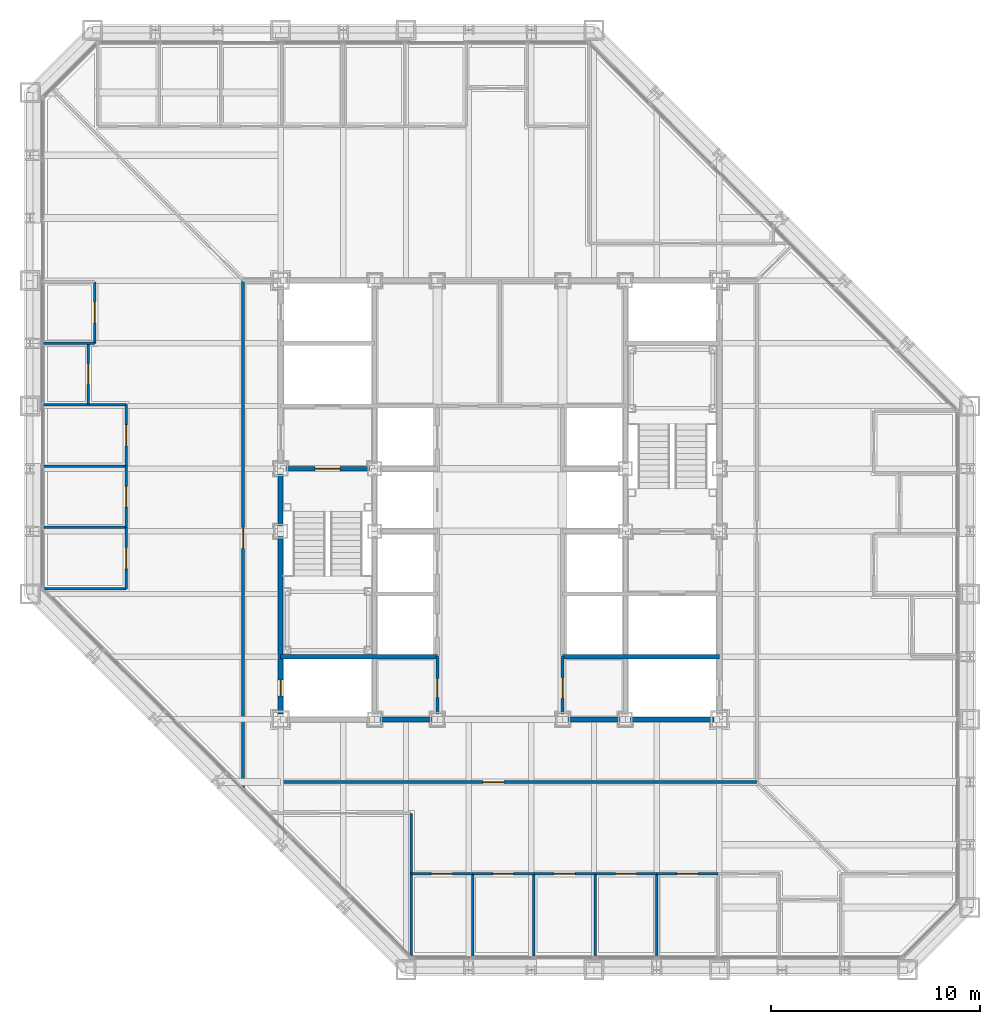
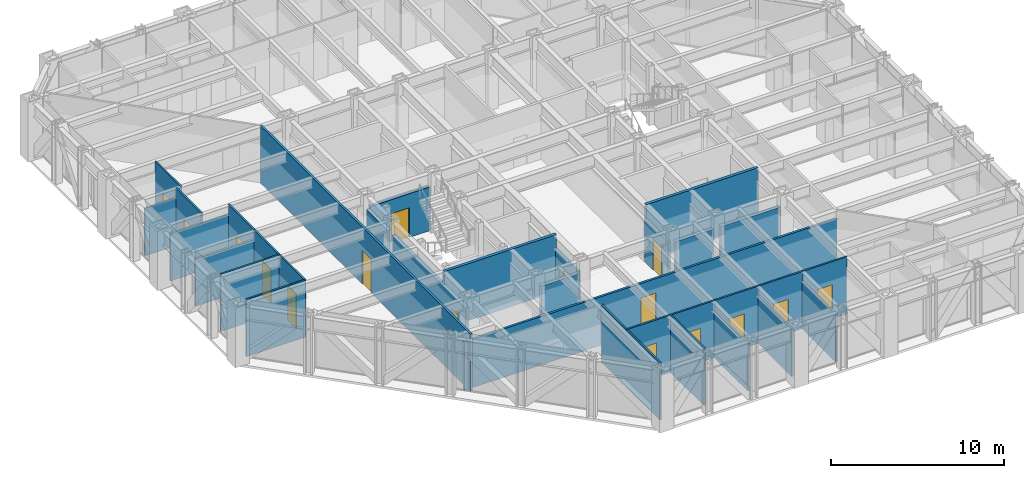
# One storey, part 10 of 17: 32 walls, 16 doors, 16 openings.
"""IFC4 building model written with IfcOpenShell, lengths in metres."""

from ifc_helpers import new_model, si_unit, direction, frame, frame_2d, origin, place, context, subcontext, project, spatial, rectangle, extrude, material, layer, layer_set, type_object, element, fill, save


model = new_model("IFC4")

# Units and contexts
model_context = context("Model", 3, precision=1e-05, world=origin(), true_north=direction((0.0, 1.0)))
body_context = subcontext(model_context, "Body", "Model", "MODEL_VIEW")
ifc_project = project(units=[si_unit("LENGTHUNIT", "METRE"), si_unit("AREAUNIT", "SQUARE_METRE"), si_unit("VOLUMEUNIT", "CUBIC_METRE"), si_unit("PLANEANGLEUNIT", "RADIAN"), si_unit("MASSUNIT", "GRAM", prefix="KILO")], contexts=[model_context])

# Site, building, storey
site_placement = place(None, origin())
site = spatial("IfcSite", under=ifc_project, at=site_placement, CompositionType="ELEMENT")
building_placement = place(site_placement, origin())
building = spatial("IfcBuilding", under=site, at=building_placement, Name="Chuquiago Exchange Tower", CompositionType="ELEMENT")
storey_placement = place(building_placement, frame((0.0, 0.0, 136.199951171875)))
storey = spatial("IfcBuildingStorey", under=building, at=storey_placement, Name="L29", CompositionType="ELEMENT", Elevation=136.199951171875)

# Wall, opening, door
ifc_material_1 = material(Name="Concrete masonry, fully grouted", Category="masonry")
ifc_layer_1 = layer(ifc_material_1, 0.25)
ifc_layer_set_1 = layer_set([ifc_layer_1], Name="W1 core wall 250")
wall_type_1 = type_object("IfcWallType", Name="W1 core wall 250", PredefinedType="SOLIDWALL", material=ifc_layer_set_1)
wall_1_placement = place(storey_placement, frame((12.0, 12.25, 0.0), z_axis=(0.0, 0.0, 1.0), x_axis=(0.0, 1.0, 0.0)))
wall_1 = element("IfcWall", 1, at=wall_1_placement, inside=storey, type_object=wall_type_1, Name="CW-L29-00-0", PredefinedType="SOLIDWALL", context=body_context, shape_type="SweptSolid", body=[
    extrude(rectangle(XDim=8.5, YDim=0.25, at=frame_2d((4.25, 0.0))), origin(), (0.0, 0.0, 1.0), 3.113037109375),
])
opening_1_placement = place(wall_1_placement, frame((0.875, 0.0, 0.0)))
opening_1 = element("IfcOpeningElement", 2, at=opening_1_placement, cuts=wall_1, Name="Opening L29-007", PredefinedType="OPENING", context=body_context, shape_type="SweptSolid", body=[
    extrude(rectangle(XDim=0.75, YDim=2.10009765625, at=frame_2d((0.375, 1.050048828125))), frame((0.0, 0.135009765625, 0.0), z_axis=(0.0, -1.0, 0.0), x_axis=(1.0, 0.0, 0.0)), (0.0, 0.0, 1.0), 0.27001953125),
])
ifc_material_2 = material(Name="Steel door, painted", Category="steel")
door_type_1 = type_object("IfcDoorType", Name="D6 riser access door 750x2100", OperationType="SINGLE_SWING_LEFT", PredefinedType="DOOR", material=ifc_material_2)
door_1_placement = place(opening_1_placement, frame((0.75, 0.0, 0.0), z_axis=(0.0, 0.0, 1.0), x_axis=(-1.0, 0.0, 0.0)))
door_1 = element("IfcDoor", 3, at=door_1_placement, inside=storey, type_object=door_type_1, Name="Riser RW1 door", OperationType="SINGLE_SWING_RIGHT", OverallHeight=2.10009765625, OverallWidth=0.75, PredefinedType="DOOR", context=body_context, shape_type="SweptSolid", body=[
    extrude(rectangle(XDim=0.75, YDim=2.10009765625, at=frame_2d((0.375, 1.050048828125))), frame((0.0, 0.02490234375, 0.0), z_axis=(0.0, -1.0, 0.0), x_axis=(1.0, 0.0, 0.0)), (0.0, 0.0, 1.0), 0.050048828125),
])
fill(opening_1, door_1)

# Walls
wall_2_placement = place(storey_placement, frame((12.0, 21.25, 0.0), z_axis=(0.0, 0.0, 1.0), x_axis=(0.0, 1.0, 0.0)))
element("IfcWall", 4, at=wall_2_placement, inside=storey, type_object=wall_type_1, Name="CW-L29-00-1", PredefinedType="SOLIDWALL", context=body_context, shape_type="SweptSolid", body=[
    extrude(rectangle(XDim=2.5, YDim=0.25, at=frame_2d((1.25, 0.0))), origin(), (0.0, 0.0, 1.0), 3.113037109375),
])
for number, where, z_axis, x_axis, name in (
    (5, (16.75, 12.0, 0.0), (0.0, 0.0, 1.0), (1.0, 0.0, 0.0), "CW-L29-01-1"),
    (6, (25.75, 12.0, 0.0), (0.0, 0.0, 1.0), (1.0, 0.0, 0.0), "CW-L29-02-0"),
):
    element("IfcWall", number, at=place(storey_placement, frame(where, z_axis=z_axis, x_axis=x_axis)), inside=storey, type_object=wall_type_1, Name=name, PredefinedType="SOLIDWALL", context=body_context, shape_type="SweptSolid", body=[
        extrude(rectangle(XDim=2.5, YDim=0.25, at=frame_2d((1.25, 0.0))), origin(), (0.0, 0.0, 1.0), 3.181640625),
    ])
wall_3_placement = place(storey_placement, frame((28.75, 12.0, 0.0), z_axis=(0.0, 0.0, 1.0), x_axis=(1.0, 0.0, 0.0)))
element("IfcWall", 7, at=wall_3_placement, inside=storey, type_object=wall_type_1, Name="CW-L29-02-1", PredefinedType="SOLIDWALL", context=body_context, shape_type="SweptSolid", body=[
    extrude(rectangle(XDim=4.0, YDim=0.25, at=frame_2d((2.0, 0.0))), origin(), (0.0, 0.0, 1.0), 3.181640625),
])

# Wall, opening, door
ifc_material_3 = material(Name="Gypsum board on steel studs, acoustic insulation", Category="steel")
ifc_layer_2 = layer(ifc_material_3, 0.14990234375)
ifc_layer_set_2 = layer_set([ifc_layer_2], Name="W11 corridor wall 150")
wall_type_2 = type_object("IfcWallType", Name="W11 corridor wall 150", PredefinedType="PARTITIONING", material=ifc_layer_set_2)
wall_4_placement = place(storey_placement, frame((9.885498046875, 9.0, 0.0), z_axis=(0.0, 0.0, 1.0), x_axis=(1.0, 0.0, 0.0)))
wall_4 = element("IfcWall", 8, at=wall_4_placement, inside=storey, type_object=wall_type_2, Name="PW-L29-GS0", PredefinedType="PARTITIONING", context=body_context, shape_type="SweptSolid", body=[
    extrude(rectangle(XDim=24.91455078125, YDim=0.14990234375, at=frame_2d((12.457275390625, 0.0))), origin(), (0.0, 0.0, 1.0), 3.427734375),
])
opening_2_placement = place(wall_4_placement, frame((11.800048828125, 0.0, 0.0)))
opening_2 = element("IfcOpeningElement", 9, at=opening_2_placement, cuts=wall_4, Name="Opening L29-046", PredefinedType="OPENING", context=body_context, shape_type="SweptSolid", body=[
    extrude(rectangle(XDim=1.0, YDim=2.39990234375, at=frame_2d((0.5, 1.199951171875))), frame((0.0, 0.0849609375, 0.0), z_axis=(0.0, -1.0, 0.0), x_axis=(1.0, 0.0, 0.0)), (0.0, 0.0, 1.0), 0.169921875),
])
ifc_material_4 = material(Name="Timber door, laminate faced", Category="wood")
door_type_2 = type_object("IfcDoorType", Name="D9 room door 1000x2400", OperationType="SINGLE_SWING_LEFT", PredefinedType="DOOR", material=ifc_material_4)
door_2_placement = place(opening_2_placement, frame((1.0, 0.0, 0.0), z_axis=(0.0, 0.0, 1.0), x_axis=(-1.0, 0.0, 0.0)))
door_2 = element("IfcDoor", 10, at=door_2_placement, inside=storey, type_object=door_type_2, Name="Team area door", OperationType="SINGLE_SWING_RIGHT", OverallHeight=2.39990234375, OverallWidth=1.0, PredefinedType="DOOR", context=body_context, shape_type="SweptSolid", body=[
    extrude(rectangle(XDim=1.0, YDim=2.39990234375, at=frame_2d((0.5, 1.199951171875))), frame((0.0, 0.02490234375, 0.0), z_axis=(0.0, -1.0, 0.0), x_axis=(1.0, 0.0, 0.0)), (0.0, 0.0, 1.0), 0.050048828125),
])
fill(opening_2, door_2)

wall_5_placement = place(storey_placement, frame((10.199951171875, 8.685546875, 0.0), z_axis=(0.0, 0.0, 1.0), x_axis=(0.0, 1.0, 0.0)))
wall_5 = element("IfcWall", 11, at=wall_5_placement, inside=storey, type_object=wall_type_2, Name="PW-L29-GW0", PredefinedType="PARTITIONING", context=body_context, shape_type="SweptSolid", body=[
    extrude(rectangle(XDim=24.314453125, YDim=0.14990234375, at=frame_2d((12.1572265625, 0.0))), origin(), (0.0, 0.0, 1.0), 4.0400390625),
])
opening_3_placement = place(wall_5_placement, frame((11.5, 0.0, 0.0)))
opening_3 = element("IfcOpeningElement", 12, at=opening_3_placement, cuts=wall_5, Name="Opening L29-047", PredefinedType="OPENING", context=body_context, shape_type="SweptSolid", body=[
    extrude(rectangle(XDim=1.0, YDim=2.39990234375, at=frame_2d((0.5, 1.199951171875))), frame((0.0, 0.0849609375, 0.0), z_axis=(0.0, -1.0, 0.0), x_axis=(1.0, 0.0, 0.0)), (0.0, 0.0, 1.0), 0.169921875),
])
door_3_placement = place(opening_3_placement, origin())
door_3 = element("IfcDoor", 13, at=door_3_placement, inside=storey, type_object=door_type_2, Name="Team area door", OperationType="SINGLE_SWING_LEFT", OverallHeight=2.39990234375, OverallWidth=1.0, PredefinedType="DOOR", context=body_context, shape_type="SweptSolid", body=[
    extrude(rectangle(XDim=1.0, YDim=2.39990234375, at=frame_2d((0.5, 1.199951171875))), frame((0.0, 0.02490234375, 0.0), z_axis=(0.0, -1.0, 0.0), x_axis=(1.0, 0.0, 0.0)), (0.0, 0.0, 1.0), 0.050048828125),
])
fill(opening_3, door_3)

# Walls
ifc_material_5 = material(Name="Concrete masonry, fully grouted", Category="masonry")
ifc_layer_3 = layer(ifc_material_5, 0.199951171875)
ifc_layer_set_3 = layer_set([ifc_layer_3], Name="W2 shaft wall 200")
wall_type_3 = type_object("IfcWallType", Name="W2 shaft wall 200", PredefinedType="SOLIDWALL", material=ifc_layer_set_3)
for number, where, z_axis, x_axis, name in (
    (14, (12.0, 15.0, 0.0), (0.0, 0.0, 1.0), (1.0, 0.0, 0.0), "CW-L29-03-0"),
    (15, (25.5, 15.0, 0.0), (0.0, 0.0, 1.0), (1.0, 0.0, 0.0), "CW-L29-04-0"),
):
    element("IfcWall", number, at=place(storey_placement, frame(where, z_axis=z_axis, x_axis=x_axis)), inside=storey, type_object=wall_type_3, Name=name, PredefinedType="SOLIDWALL", context=body_context, shape_type="SweptSolid", body=[
        extrude(rectangle(XDim=7.5, YDim=0.199951171875, at=frame_2d((3.75, 0.0))), origin(), (0.0, 0.0, 1.0), 4.0400390625),
    ])

# Wall, opening, door
wall_6_placement = place(storey_placement, frame((12.25, 24.0, 0.0), z_axis=(0.0, 0.0, 1.0), x_axis=(1.0, 0.0, 0.0)))
wall_6 = element("IfcWall", 16, at=wall_6_placement, inside=storey, type_object=wall_type_3, Name="CW-L29-05-0", PredefinedType="SOLIDWALL", context=body_context, shape_type="SweptSolid", body=[
    extrude(rectangle(XDim=4.0, YDim=0.199951171875, at=frame_2d((2.0, 0.0))), origin(), (0.0, 0.0, 1.0), 3.090087890625),
])
opening_4_placement = place(wall_6_placement, frame((1.39990234375, 0.0, 0.0)))
opening_4 = element("IfcOpeningElement", 17, at=opening_4_placement, cuts=wall_6, Name="Opening L29-001", PredefinedType="OPENING", context=body_context, shape_type="SweptSolid", body=[
    extrude(rectangle(XDim=1.199951171875, YDim=2.10009765625, at=frame_2d((0.60009765625, 1.050048828125))), frame((0.0, 0.10986328125, 0.0), z_axis=(0.0, -1.0, 0.0), x_axis=(1.0, 0.0, 0.0)), (0.0, 0.0, 1.0), 0.219970703125),
])
ifc_material_6 = material(Name="Steel door, painted", Category="steel")
door_type_3 = type_object("IfcDoorType", Name="D4 stair door 1200x2100", OperationType="SINGLE_SWING_LEFT", PredefinedType="DOOR", material=ifc_material_6)
door_4_placement = place(opening_4_placement, frame((1.199951171875, 0.0, 0.0), z_axis=(0.0, 0.0, 1.0), x_axis=(-1.0, 0.0, 0.0)))
door_4 = element("IfcDoor", 18, at=door_4_placement, inside=storey, type_object=door_type_3, Name="Stair ST1 door", OperationType="SINGLE_SWING_RIGHT", OverallHeight=2.10009765625, OverallWidth=1.199951171875, PredefinedType="DOOR", context=body_context, shape_type="SweptSolid", body=[
    extrude(rectangle(XDim=1.199951171875, YDim=2.10009765625, at=frame_2d((0.60009765625, 1.050048828125))), frame((0.0, 0.02490234375, 0.0), z_axis=(0.0, -1.0, 0.0), x_axis=(1.0, 0.0, 0.0)), (0.0, 0.0, 1.0), 0.050048828125),
])
fill(opening_4, door_4)

ifc_material_7 = material(Name="Gypsum board on steel studs", Category="steel")
ifc_layer_4 = layer(ifc_material_7, 0.14990234375)
ifc_layer_set_4 = layer_set([ifc_layer_4], Name="W3 core partition 150")
wall_type_4 = type_object("IfcWallType", Name="W3 core partition 150", PredefinedType="PARTITIONING", material=ifc_layer_set_4)
wall_7_placement = place(storey_placement, frame((19.5, 12.25, 0.0), z_axis=(0.0, 0.0, 1.0), x_axis=(0.0, 1.0, 0.0)))
wall_7 = element("IfcWall", 19, at=wall_7_placement, inside=storey, type_object=wall_type_4, Name="CW-L29-18-0", PredefinedType="PARTITIONING", context=body_context, shape_type="SweptSolid", body=[
    extrude(rectangle(XDim=2.75, YDim=0.14990234375, at=frame_2d((1.375, 0.0))), origin(), (0.0, 0.0, 1.0), 3.064697265625),
])
opening_5_placement = place(wall_7_placement, frame((0.800048828125, 0.0, 0.0)))
opening_5 = element("IfcOpeningElement", 20, at=opening_5_placement, cuts=wall_7, Name="Opening L29-014", PredefinedType="OPENING", context=body_context, shape_type="SweptSolid", body=[
    extrude(rectangle(XDim=0.89990234375, YDim=2.10009765625, at=frame_2d((0.449951171875, 1.050048828125))), frame((0.0, 0.0849609375, 0.0), z_axis=(0.0, -1.0, 0.0), x_axis=(1.0, 0.0, 0.0)), (0.0, 0.0, 1.0), 0.169921875),
])
ifc_material_8 = material(Name="Timber door, laminate faced", Category="wood")
door_type_4 = type_object("IfcDoorType", Name="D7 toilet door 900x2100", OperationType="SINGLE_SWING_LEFT", PredefinedType="DOOR", material=ifc_material_8)
door_5_placement = place(opening_5_placement, frame((0.89990234375, 0.0, 0.0), z_axis=(0.0, 0.0, 1.0), x_axis=(-1.0, 0.0, 0.0)))
door_5 = element("IfcDoor", 21, at=door_5_placement, inside=storey, type_object=door_type_4, Name="Cleaner door", OperationType="SINGLE_SWING_RIGHT", OverallHeight=2.10009765625, OverallWidth=0.89990234375, PredefinedType="DOOR", context=body_context, shape_type="SweptSolid", body=[
    extrude(rectangle(XDim=0.89990234375, YDim=2.10009765625, at=frame_2d((0.449951171875, 1.050048828125))), frame((0.0, 0.02490234375, 0.0), z_axis=(0.0, -1.0, 0.0), x_axis=(1.0, 0.0, 0.0)), (0.0, 0.0, 1.0), 0.050048828125),
])
fill(opening_5, door_5)

wall_8_placement = place(storey_placement, frame((25.5, 12.25, 0.0), z_axis=(0.0, 0.0, 1.0), x_axis=(0.0, 1.0, 0.0)))
wall_8 = element("IfcWall", 22, at=wall_8_placement, inside=storey, type_object=wall_type_4, Name="CW-L29-21-0", PredefinedType="PARTITIONING", context=body_context, shape_type="SweptSolid", body=[
    extrude(rectangle(XDim=2.75, YDim=0.14990234375, at=frame_2d((1.375, 0.0))), origin(), (0.0, 0.0, 1.0), 3.064697265625),
])
opening_6_placement = place(wall_8_placement, frame((0.75, 0.0, 0.0)))
opening_6 = element("IfcOpeningElement", 23, at=opening_6_placement, cuts=wall_8, Name="Opening L29-013", PredefinedType="OPENING", context=body_context, shape_type="SweptSolid", body=[
    extrude(rectangle(XDim=1.0, YDim=2.10009765625, at=frame_2d((0.5, 1.050048828125))), frame((0.0, 0.0849609375, 0.0), z_axis=(0.0, -1.0, 0.0), x_axis=(1.0, 0.0, 0.0)), (0.0, 0.0, 1.0), 0.169921875),
])
ifc_material_9 = material(Name="Timber door, laminate faced", Category="wood")
door_type_5 = type_object("IfcDoorType", Name="D8 accessible toilet door 1000x2100", OperationType="SLIDING_TO_LEFT", PredefinedType="DOOR", material=ifc_material_9)
door_6_placement = place(opening_6_placement, origin())
door_6 = element("IfcDoor", 24, at=door_6_placement, inside=storey, type_object=door_type_5, Name="Accessible WC door", OperationType="SLIDING_TO_LEFT", OverallHeight=2.10009765625, OverallWidth=1.0, PredefinedType="DOOR", context=body_context, shape_type="SweptSolid", body=[
    extrude(rectangle(XDim=1.0, YDim=2.10009765625, at=frame_2d((0.5, 1.050048828125))), frame((0.0, 0.02490234375, 0.0), z_axis=(0.0, -1.0, 0.0), x_axis=(1.0, 0.0, 0.0)), (0.0, 0.0, 1.0), 0.050048828125),
])
fill(opening_6, door_6)

# Walls
ifc_material_10 = material(Name="Gypsum board on steel studs", Category="steel")
ifc_layer_5 = layer(ifc_material_10, 0.1201171875)
ifc_layer_set_5 = layer_set([ifc_layer_5], Name="W4 partition 120")
wall_type_5 = type_object("IfcWallType", Name="W4 partition 120", PredefinedType="PARTITIONING", material=ifc_layer_set_5)
wall_9_placement = place(storey_placement, frame((18.24853515625, 0.666015625, 0.0), z_axis=(0.0, 0.0, 1.0), x_axis=(0.0, 1.0, 0.0)))
element("IfcWall", 25, at=wall_9_placement, inside=storey, type_object=wall_type_5, Name="PW-L29-S01825", PredefinedType="PARTITIONING", context=body_context, shape_type="SweptSolid", body=[
    extrude(rectangle(XDim=6.833984375, YDim=0.1201171875, at=frame_2d((3.4169921875, 0.0))), origin(), (0.0, 0.0, 1.0), 4.0400390625),
])
wall_10_placement = place(storey_placement, frame((21.186279296875, 0.652587890625, 0.0), z_axis=(0.0, 0.0, 1.0), x_axis=(0.0, 1.0, 0.0)))
element("IfcWall", 26, at=wall_10_placement, inside=storey, type_object=wall_type_5, Name="PW-L29-S02119", PredefinedType="PARTITIONING", context=body_context, shape_type="SweptSolid", body=[
    extrude(rectangle(XDim=3.947509765625, YDim=0.1201171875, at=frame_2d((1.9736328125, 0.0))), origin(), (0.0, 0.0, 1.0), 4.0400390625),
])
for number, where, z_axis, x_axis, name in (
    (27, (24.124267578125, 0.652587890625, 0.0), (0.0, 0.0, 1.0), (0.0, 1.0, 0.0), "PW-L29-S02412"),
    (28, (27.06201171875, 0.652587890625, 0.0), (0.0, 0.0, 1.0), (0.0, 1.0, 0.0), "PW-L29-S02706"),
    (29, (30.0, 0.652587890625, 0.0), (0.0, 0.0, 1.0), (0.0, 1.0, 0.0), "PW-L29-S03000"),
):
    element("IfcWall", number, at=place(storey_placement, frame(where, z_axis=z_axis, x_axis=x_axis)), inside=storey, type_object=wall_type_5, Name=name, PredefinedType="PARTITIONING", context=body_context, shape_type="SweptSolid", body=[
        extrude(rectangle(XDim=3.947509765625, YDim=0.1201171875, at=frame_2d((1.9736328125, 0.0))), origin(), (0.0, 0.0, 1.0), 3.35693359375),
    ])

# Wall, opening, door
wall_11_placement = place(storey_placement, frame((18.24853515625, 4.60009765625, 0.0), z_axis=(0.0, 0.0, 1.0), x_axis=(1.0, 0.0, 0.0)))
wall_11 = element("IfcWall", 30, at=wall_11_placement, inside=storey, type_object=wall_type_5, Name="PW-L29-SF01825", PredefinedType="PARTITIONING", context=body_context, shape_type="SweptSolid", body=[
    extrude(rectangle(XDim=2.937744140625, YDim=0.1201171875, at=frame_2d((1.46875, 0.0))), origin(), (0.0, 0.0, 1.0), 4.0400390625),
])
opening_7_placement = place(wall_11_placement, frame((0.968994140625, 0.0, 0.0)))
opening_7 = element("IfcOpeningElement", 31, at=opening_7_placement, cuts=wall_11, Name="Opening L29-020", PredefinedType="OPENING", context=body_context, shape_type="SweptSolid", body=[
    extrude(rectangle(XDim=1.0, YDim=2.39990234375, at=frame_2d((0.5, 1.199951171875))), frame((0.0, 0.070068359375, 0.0), z_axis=(0.0, -1.0, 0.0), x_axis=(1.0, 0.0, 0.0)), (0.0, 0.0, 1.0), 0.14013671875),
])
door_7_placement = place(opening_7_placement, frame((1.0, 0.0, 0.0), z_axis=(0.0, 0.0, 1.0), x_axis=(-1.0, 0.0, 0.0)))
door_7 = element("IfcDoor", 32, at=door_7_placement, inside=storey, type_object=door_type_2, Name="Office door", OperationType="SINGLE_SWING_RIGHT", OverallHeight=2.39990234375, OverallWidth=1.0, PredefinedType="DOOR", context=body_context, shape_type="SweptSolid", body=[
    extrude(rectangle(XDim=1.0, YDim=2.39990234375, at=frame_2d((0.5, 1.199951171875))), frame((0.0, 0.02490234375, 0.0), z_axis=(0.0, -1.0, 0.0), x_axis=(1.0, 0.0, 0.0)), (0.0, 0.0, 1.0), 0.050048828125),
])
fill(opening_7, door_7)

wall_12_placement = place(storey_placement, frame((21.186279296875, 4.60009765625, 0.0), z_axis=(0.0, 0.0, 1.0), x_axis=(1.0, 0.0, 0.0)))
wall_12 = element("IfcWall", 33, at=wall_12_placement, inside=storey, type_object=wall_type_5, Name="PW-L29-SF02119", PredefinedType="PARTITIONING", context=body_context, shape_type="SweptSolid", body=[
    extrude(rectangle(XDim=2.93798828125, YDim=0.1201171875, at=frame_2d((1.468994140625, 0.0))), origin(), (0.0, 0.0, 1.0), 4.0400390625),
])
opening_8_placement = place(wall_12_placement, frame((0.968994140625, 0.0, 0.0)))
opening_8 = element("IfcOpeningElement", 34, at=opening_8_placement, cuts=wall_12, Name="Opening L29-021", PredefinedType="OPENING", context=body_context, shape_type="SweptSolid", body=[
    extrude(rectangle(XDim=1.0, YDim=2.39990234375, at=frame_2d((0.5, 1.199951171875))), frame((0.0, 0.070068359375, 0.0), z_axis=(0.0, -1.0, 0.0), x_axis=(1.0, 0.0, 0.0)), (0.0, 0.0, 1.0), 0.14013671875),
])
door_8_placement = place(opening_8_placement, frame((1.0, 0.0, 0.0), z_axis=(0.0, 0.0, 1.0), x_axis=(-1.0, 0.0, 0.0)))
door_8 = element("IfcDoor", 35, at=door_8_placement, inside=storey, type_object=door_type_2, Name="Office door", OperationType="SINGLE_SWING_LEFT", OverallHeight=2.39990234375, OverallWidth=1.0, PredefinedType="DOOR", context=body_context, shape_type="SweptSolid", body=[
    extrude(rectangle(XDim=1.0, YDim=2.39990234375, at=frame_2d((0.5, 1.199951171875))), frame((0.0, 0.02490234375, 0.0), z_axis=(0.0, -1.0, 0.0), x_axis=(1.0, 0.0, 0.0)), (0.0, 0.0, 1.0), 0.050048828125),
])
fill(opening_8, door_8)

wall_13_placement = place(storey_placement, frame((24.124267578125, 4.60009765625, 0.0), z_axis=(0.0, 0.0, 1.0), x_axis=(1.0, 0.0, 0.0)))
wall_13 = element("IfcWall", 36, at=wall_13_placement, inside=storey, type_object=wall_type_5, Name="PW-L29-SF02412", PredefinedType="PARTITIONING", context=body_context, shape_type="SweptSolid", body=[
    extrude(rectangle(XDim=2.937744140625, YDim=0.1201171875, at=frame_2d((1.46875, 0.0))), origin(), (0.0, 0.0, 1.0), 4.0400390625),
])
opening_9_placement = place(wall_13_placement, frame((0.968994140625, 0.0, 0.0)))
opening_9 = element("IfcOpeningElement", 37, at=opening_9_placement, cuts=wall_13, Name="Opening L29-022", PredefinedType="OPENING", context=body_context, shape_type="SweptSolid", body=[
    extrude(rectangle(XDim=1.0, YDim=2.39990234375, at=frame_2d((0.5, 1.199951171875))), frame((0.0, 0.070068359375, 0.0), z_axis=(0.0, -1.0, 0.0), x_axis=(1.0, 0.0, 0.0)), (0.0, 0.0, 1.0), 0.14013671875),
])
door_9_placement = place(opening_9_placement, frame((1.0, 0.0, 0.0), z_axis=(0.0, 0.0, 1.0), x_axis=(-1.0, 0.0, 0.0)))
door_9 = element("IfcDoor", 38, at=door_9_placement, inside=storey, type_object=door_type_2, Name="Office door", OperationType="SINGLE_SWING_LEFT", OverallHeight=2.39990234375, OverallWidth=1.0, PredefinedType="DOOR", context=body_context, shape_type="SweptSolid", body=[
    extrude(rectangle(XDim=1.0, YDim=2.39990234375, at=frame_2d((0.5, 1.199951171875))), frame((0.0, 0.02490234375, 0.0), z_axis=(0.0, -1.0, 0.0), x_axis=(1.0, 0.0, 0.0)), (0.0, 0.0, 1.0), 0.050048828125),
])
fill(opening_9, door_9)

wall_14_placement = place(storey_placement, frame((27.06201171875, 4.60009765625, 0.0), z_axis=(0.0, 0.0, 1.0), x_axis=(1.0, 0.0, 0.0)))
wall_14 = element("IfcWall", 39, at=wall_14_placement, inside=storey, type_object=wall_type_5, Name="PW-L29-SF02706", PredefinedType="PARTITIONING", context=body_context, shape_type="SweptSolid", body=[
    extrude(rectangle(XDim=2.93798828125, YDim=0.1201171875, at=frame_2d((1.468994140625, 0.0))), origin(), (0.0, 0.0, 1.0), 4.0400390625),
])
opening_10_placement = place(wall_14_placement, frame((0.968994140625, 0.0, 0.0)))
opening_10 = element("IfcOpeningElement", 40, at=opening_10_placement, cuts=wall_14, Name="Opening L29-023", PredefinedType="OPENING", context=body_context, shape_type="SweptSolid", body=[
    extrude(rectangle(XDim=1.0, YDim=2.39990234375, at=frame_2d((0.5, 1.199951171875))), frame((0.0, 0.070068359375, 0.0), z_axis=(0.0, -1.0, 0.0), x_axis=(1.0, 0.0, 0.0)), (0.0, 0.0, 1.0), 0.14013671875),
])
door_10_placement = place(opening_10_placement, frame((1.0, 0.0, 0.0), z_axis=(0.0, 0.0, 1.0), x_axis=(-1.0, 0.0, 0.0)))
door_10 = element("IfcDoor", 41, at=door_10_placement, inside=storey, type_object=door_type_2, Name="Office door", OperationType="SINGLE_SWING_RIGHT", OverallHeight=2.39990234375, OverallWidth=1.0, PredefinedType="DOOR", context=body_context, shape_type="SweptSolid", body=[
    extrude(rectangle(XDim=1.0, YDim=2.39990234375, at=frame_2d((0.5, 1.199951171875))), frame((0.0, 0.02490234375, 0.0), z_axis=(0.0, -1.0, 0.0), x_axis=(1.0, 0.0, 0.0)), (0.0, 0.0, 1.0), 0.050048828125),
])
fill(opening_10, door_10)

wall_15_placement = place(storey_placement, frame((30.0, 4.60009765625, 0.0), z_axis=(0.0, 0.0, 1.0), x_axis=(1.0, 0.0, 0.0)))
wall_15 = element("IfcWall", 42, at=wall_15_placement, inside=storey, type_object=wall_type_5, Name="PW-L29-SF03000", PredefinedType="PARTITIONING", context=body_context, shape_type="SweptSolid", body=[
    extrude(rectangle(XDim=2.93798828125, YDim=0.1201171875, at=frame_2d((1.468994140625, 0.0))), origin(), (0.0, 0.0, 1.0), 4.0400390625),
])
opening_11_placement = place(wall_15_placement, frame((0.968994140625, 0.0, 0.0)))
opening_11 = element("IfcOpeningElement", 43, at=opening_11_placement, cuts=wall_15, Name="Opening L29-024", PredefinedType="OPENING", context=body_context, shape_type="SweptSolid", body=[
    extrude(rectangle(XDim=1.0, YDim=2.39990234375, at=frame_2d((0.5, 1.199951171875))), frame((0.0, 0.070068359375, 0.0), z_axis=(0.0, -1.0, 0.0), x_axis=(1.0, 0.0, 0.0)), (0.0, 0.0, 1.0), 0.14013671875),
])
door_11_placement = place(opening_11_placement, frame((1.0, 0.0, 0.0), z_axis=(0.0, 0.0, 1.0), x_axis=(-1.0, 0.0, 0.0)))
door_11 = element("IfcDoor", 44, at=door_11_placement, inside=storey, type_object=door_type_2, Name="Office door", OperationType="SINGLE_SWING_RIGHT", OverallHeight=2.39990234375, OverallWidth=1.0, PredefinedType="DOOR", context=body_context, shape_type="SweptSolid", body=[
    extrude(rectangle(XDim=1.0, YDim=2.39990234375, at=frame_2d((0.5, 1.199951171875))), frame((0.0, 0.02490234375, 0.0), z_axis=(0.0, -1.0, 0.0), x_axis=(1.0, 0.0, 0.0)), (0.0, 0.0, 1.0), 0.050048828125),
])
fill(opening_11, door_11)

# Walls
wall_16_placement = place(storey_placement, frame((0.666015625, 18.24853515625, 0.0), z_axis=(0.0, 0.0, 1.0), x_axis=(1.0, 0.0, 0.0)))
element("IfcWall", 45, at=wall_16_placement, inside=storey, type_object=wall_type_5, Name="PW-L29-W01825", PredefinedType="PARTITIONING", context=body_context, shape_type="SweptSolid", body=[
    extrude(rectangle(XDim=3.93408203125, YDim=0.1201171875, at=frame_2d((1.967041015625, 0.0))), origin(), (0.0, 0.0, 1.0), 4.0400390625),
])
wall_17_placement = place(storey_placement, frame((0.652587890625, 21.186279296875, 0.0), z_axis=(0.0, 0.0, 1.0), x_axis=(1.0, 0.0, 0.0)))
element("IfcWall", 46, at=wall_17_placement, inside=storey, type_object=wall_type_5, Name="PW-L29-W02119", PredefinedType="PARTITIONING", context=body_context, shape_type="SweptSolid", body=[
    extrude(rectangle(XDim=3.947509765625, YDim=0.1201171875, at=frame_2d((1.9736328125, 0.0))), origin(), (0.0, 0.0, 1.0), 4.0400390625),
])
for number, where, z_axis, x_axis, name in (
    (47, (0.652587890625, 24.124267578125, 0.0), (0.0, 0.0, 1.0), (1.0, 0.0, 0.0), "PW-L29-W02412"),
    (48, (0.652587890625, 27.06201171875, 0.0), (0.0, 0.0, 1.0), (1.0, 0.0, 0.0), "PW-L29-W02706"),
):
    element("IfcWall", number, at=place(storey_placement, frame(where, z_axis=z_axis, x_axis=x_axis)), inside=storey, type_object=wall_type_5, Name=name, PredefinedType="PARTITIONING", context=body_context, shape_type="SweptSolid", body=[
        extrude(rectangle(XDim=3.947509765625, YDim=0.1201171875, at=frame_2d((1.9736328125, 0.0))), origin(), (0.0, 0.0, 1.0), 3.35693359375),
    ])
wall_18_placement = place(storey_placement, frame((0.652587890625, 30.0, 0.0), z_axis=(0.0, 0.0, 1.0), x_axis=(1.0, 0.0, 0.0)))
element("IfcWall", 49, at=wall_18_placement, inside=storey, type_object=wall_type_5, Name="PW-L29-W03000", PredefinedType="PARTITIONING", context=body_context, shape_type="SweptSolid", body=[
    extrude(rectangle(XDim=2.447509765625, YDim=0.1201171875, at=frame_2d((1.2236328125, 0.0))), origin(), (0.0, 0.0, 1.0), 3.35693359375),
])

# Wall, opening, door
wall_19_placement = place(storey_placement, frame((4.60009765625, 18.24853515625, 0.0), z_axis=(0.0, 0.0, 1.0), x_axis=(0.0, 1.0, 0.0)))
wall_19 = element("IfcWall", 50, at=wall_19_placement, inside=storey, type_object=wall_type_5, Name="PW-L29-WF01825", PredefinedType="PARTITIONING", context=body_context, shape_type="SweptSolid", body=[
    extrude(rectangle(XDim=2.937744140625, YDim=0.1201171875, at=frame_2d((1.46875, 0.0))), origin(), (0.0, 0.0, 1.0), 4.0400390625),
])
opening_12_placement = place(wall_19_placement, frame((0.968994140625, 0.0, 0.0)))
opening_12 = element("IfcOpeningElement", 51, at=opening_12_placement, cuts=wall_19, Name="Opening L29-041", PredefinedType="OPENING", context=body_context, shape_type="SweptSolid", body=[
    extrude(rectangle(XDim=1.0, YDim=2.39990234375, at=frame_2d((0.5, 1.199951171875))), frame((0.0, 0.070068359375, 0.0), z_axis=(0.0, -1.0, 0.0), x_axis=(1.0, 0.0, 0.0)), (0.0, 0.0, 1.0), 0.14013671875),
])
door_12_placement = place(opening_12_placement, origin())
door_12 = element("IfcDoor", 52, at=door_12_placement, inside=storey, type_object=door_type_2, Name="Office door", OperationType="SINGLE_SWING_LEFT", OverallHeight=2.39990234375, OverallWidth=1.0, PredefinedType="DOOR", context=body_context, shape_type="SweptSolid", body=[
    extrude(rectangle(XDim=1.0, YDim=2.39990234375, at=frame_2d((0.5, 1.199951171875))), frame((0.0, 0.02490234375, 0.0), z_axis=(0.0, -1.0, 0.0), x_axis=(1.0, 0.0, 0.0)), (0.0, 0.0, 1.0), 0.050048828125),
])
fill(opening_12, door_12)

wall_20_placement = place(storey_placement, frame((4.60009765625, 21.186279296875, 0.0), z_axis=(0.0, 0.0, 1.0), x_axis=(0.0, 1.0, 0.0)))
wall_20 = element("IfcWall", 53, at=wall_20_placement, inside=storey, type_object=wall_type_5, Name="PW-L29-WF02119", PredefinedType="PARTITIONING", context=body_context, shape_type="SweptSolid", body=[
    extrude(rectangle(XDim=2.93798828125, YDim=0.1201171875, at=frame_2d((1.468994140625, 0.0))), origin(), (0.0, 0.0, 1.0), 4.0400390625),
])
opening_13_placement = place(wall_20_placement, frame((0.968994140625, 0.0, 0.0)))
opening_13 = element("IfcOpeningElement", 54, at=opening_13_placement, cuts=wall_20, Name="Opening L29-042", PredefinedType="OPENING", context=body_context, shape_type="SweptSolid", body=[
    extrude(rectangle(XDim=1.0, YDim=2.39990234375, at=frame_2d((0.5, 1.199951171875))), frame((0.0, 0.070068359375, 0.0), z_axis=(0.0, -1.0, 0.0), x_axis=(1.0, 0.0, 0.0)), (0.0, 0.0, 1.0), 0.14013671875),
])
door_13_placement = place(opening_13_placement, origin())
door_13 = element("IfcDoor", 55, at=door_13_placement, inside=storey, type_object=door_type_2, Name="Office door", OperationType="SINGLE_SWING_RIGHT", OverallHeight=2.39990234375, OverallWidth=1.0, PredefinedType="DOOR", context=body_context, shape_type="SweptSolid", body=[
    extrude(rectangle(XDim=1.0, YDim=2.39990234375, at=frame_2d((0.5, 1.199951171875))), frame((0.0, 0.02490234375, 0.0), z_axis=(0.0, -1.0, 0.0), x_axis=(1.0, 0.0, 0.0)), (0.0, 0.0, 1.0), 0.050048828125),
])
fill(opening_13, door_13)

wall_21_placement = place(storey_placement, frame((4.60009765625, 24.124267578125, 0.0), z_axis=(0.0, 0.0, 1.0), x_axis=(0.0, 1.0, 0.0)))
wall_21 = element("IfcWall", 56, at=wall_21_placement, inside=storey, type_object=wall_type_5, Name="PW-L29-WF02412", PredefinedType="PARTITIONING", context=body_context, shape_type="SweptSolid", body=[
    extrude(rectangle(XDim=2.937744140625, YDim=0.1201171875, at=frame_2d((1.46875, 0.0))), origin(), (0.0, 0.0, 1.0), 4.0400390625),
])
opening_14_placement = place(wall_21_placement, frame((0.968994140625, 0.0, 0.0)))
opening_14 = element("IfcOpeningElement", 57, at=opening_14_placement, cuts=wall_21, Name="Opening L29-043", PredefinedType="OPENING", context=body_context, shape_type="SweptSolid", body=[
    extrude(rectangle(XDim=1.0, YDim=2.39990234375, at=frame_2d((0.5, 1.199951171875))), frame((0.0, 0.070068359375, 0.0), z_axis=(0.0, -1.0, 0.0), x_axis=(1.0, 0.0, 0.0)), (0.0, 0.0, 1.0), 0.14013671875),
])
door_14_placement = place(opening_14_placement, origin())
door_14 = element("IfcDoor", 58, at=door_14_placement, inside=storey, type_object=door_type_2, Name="Office door", OperationType="SINGLE_SWING_RIGHT", OverallHeight=2.39990234375, OverallWidth=1.0, PredefinedType="DOOR", context=body_context, shape_type="SweptSolid", body=[
    extrude(rectangle(XDim=1.0, YDim=2.39990234375, at=frame_2d((0.5, 1.199951171875))), frame((0.0, 0.02490234375, 0.0), z_axis=(0.0, -1.0, 0.0), x_axis=(1.0, 0.0, 0.0)), (0.0, 0.0, 1.0), 0.050048828125),
])
fill(opening_14, door_14)

wall_22_placement = place(storey_placement, frame((2.800048828125, 27.06201171875, 0.0), z_axis=(0.0, 0.0, 1.0), x_axis=(0.0, 1.0, 0.0)))
wall_22 = element("IfcWall", 59, at=wall_22_placement, inside=storey, type_object=wall_type_5, Name="PW-L29-WF02706", PredefinedType="PARTITIONING", context=body_context, shape_type="SweptSolid", body=[
    extrude(rectangle(XDim=2.93798828125, YDim=0.1201171875, at=frame_2d((1.468994140625, 0.0))), origin(), (0.0, 0.0, 1.0), 4.0400390625),
])
opening_15_placement = place(wall_22_placement, frame((0.968994140625, 0.0, 0.0)))
opening_15 = element("IfcOpeningElement", 60, at=opening_15_placement, cuts=wall_22, Name="Opening L29-044", PredefinedType="OPENING", context=body_context, shape_type="SweptSolid", body=[
    extrude(rectangle(XDim=1.0, YDim=2.39990234375, at=frame_2d((0.5, 1.199951171875))), frame((0.0, 0.070068359375, 0.0), z_axis=(0.0, -1.0, 0.0), x_axis=(1.0, 0.0, 0.0)), (0.0, 0.0, 1.0), 0.14013671875),
])
ifc_material_11 = material(Name="Timber frame door, full height glazed panel", Category="wood")
door_type_6 = type_object("IfcDoorType", Name="D14 glazed meeting room door 1000x2400", OperationType="SINGLE_SWING_LEFT", PredefinedType="DOOR", material=ifc_material_11)
door_15_placement = place(opening_15_placement, origin())
door_15 = element("IfcDoor", 61, at=door_15_placement, inside=storey, type_object=door_type_6, Name="Focus room door", OperationType="SINGLE_SWING_LEFT", OverallHeight=2.39990234375, OverallWidth=1.0, PredefinedType="DOOR", context=body_context, shape_type="SweptSolid", body=[
    extrude(rectangle(XDim=1.0, YDim=2.39990234375, at=frame_2d((0.5, 1.199951171875))), frame((0.0, 0.02490234375, 0.0), z_axis=(0.0, -1.0, 0.0), x_axis=(1.0, 0.0, 0.0)), (0.0, 0.0, 1.0), 0.050048828125),
])
fill(opening_15, door_15)

wall_23_placement = place(storey_placement, frame((3.10009765625, 30.0, 0.0), z_axis=(0.0, 0.0, 1.0), x_axis=(0.0, 1.0, 0.0)))
wall_23 = element("IfcWall", 62, at=wall_23_placement, inside=storey, type_object=wall_type_5, Name="PW-L29-WF03000", PredefinedType="PARTITIONING", context=body_context, shape_type="SweptSolid", body=[
    extrude(rectangle(XDim=2.93798828125, YDim=0.1201171875, at=frame_2d((1.468994140625, 0.0))), origin(), (0.0, 0.0, 1.0), 4.0400390625),
])
opening_16_placement = place(wall_23_placement, frame((0.968994140625, 0.0, 0.0)))
opening_16 = element("IfcOpeningElement", 63, at=opening_16_placement, cuts=wall_23, Name="Opening L29-045", PredefinedType="OPENING", context=body_context, shape_type="SweptSolid", body=[
    extrude(rectangle(XDim=1.0, YDim=2.39990234375, at=frame_2d((0.5, 1.199951171875))), frame((0.0, 0.070068359375, 0.0), z_axis=(0.0, -1.0, 0.0), x_axis=(1.0, 0.0, 0.0)), (0.0, 0.0, 1.0), 0.14013671875),
])
door_16_placement = place(opening_16_placement, origin())
door_16 = element("IfcDoor", 64, at=door_16_placement, inside=storey, type_object=door_type_2, Name="Store door", OperationType="SINGLE_SWING_LEFT", OverallHeight=2.39990234375, OverallWidth=1.0, PredefinedType="DOOR", context=body_context, shape_type="SweptSolid", body=[
    extrude(rectangle(XDim=1.0, YDim=2.39990234375, at=frame_2d((0.5, 1.199951171875))), frame((0.0, 0.02490234375, 0.0), z_axis=(0.0, -1.0, 0.0), x_axis=(1.0, 0.0, 0.0)), (0.0, 0.0, 1.0), 0.050048828125),
])
fill(opening_16, door_16)

save(model, "model.ifc")
